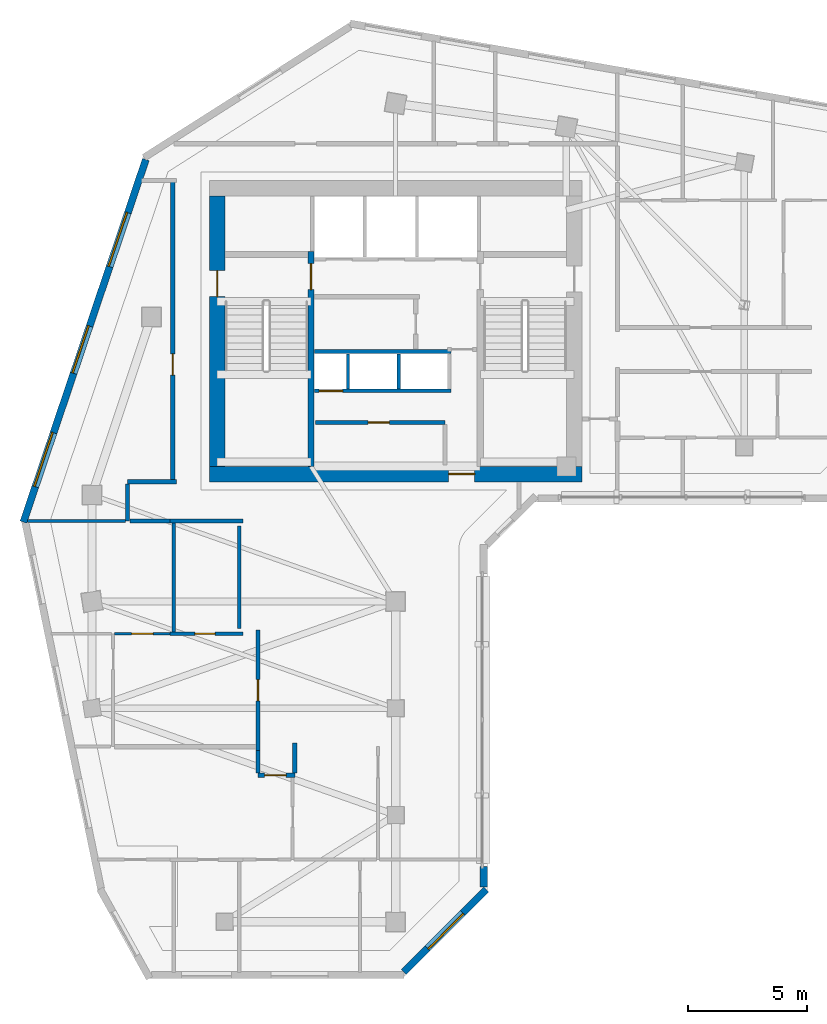
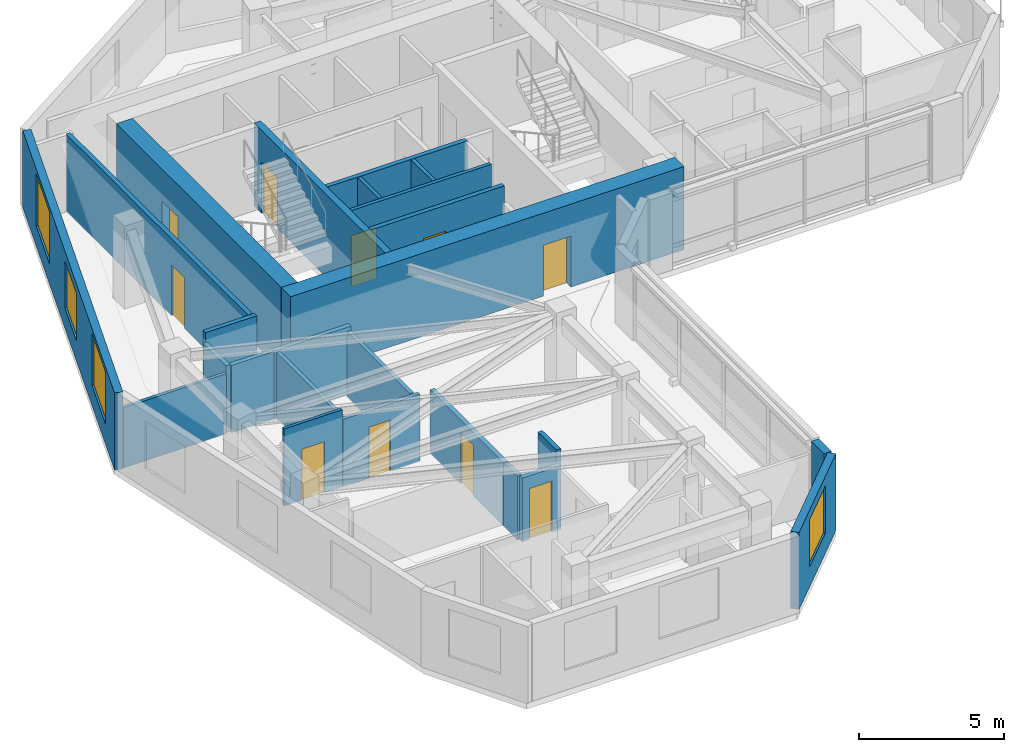
# One storey, part 4 of 10: 25 walls, 10 doors, 4 windows, 14 openings.
"""IFC4 building model written with IfcOpenShell, lengths in metres."""

import ifcopenshell
import ifcopenshell.guid

model = None  # the IFC model being written
_history = None  # IfcOwnerHistory: only IFC2X3 demands one
_inside = {}  # id of a spatial element -> (the spatial element, [elements in it])
_under = {}  # id of a project, library or spatial element -> (it, [spatial elements below it])
_declared = {}  # id of a project -> (the project, [libraries it declares])
_typed = {}  # id of a type object -> (the type object, [elements of that type])
_made_of = {}  # id of a material, layer set ... -> (it, [elements and type objects made of it])


def new_model(schema):
    """Start an empty IFC model of exactly this schema.

    Asked for "IFC4X3", IfcOpenShell would pick the latest addendum, in which some entities
    have other attributes; the version numbers below select the first issue.
    IFC2X3 requires an IfcOwnerHistory on every rooted entity: one is made here for all.
    """
    global model, _history
    if schema == "IFC4X3":
        model = ifcopenshell.file(schema_version=(4, 3, 0, 0))
    else:
        model = ifcopenshell.file(schema=schema)
    _inside.clear()
    _under.clear()
    _declared.clear()
    _typed.clear()
    _made_of.clear()
    _history = None
    if model.schema == "IFC2X3":
        org = make("IfcOrganization", Name="unknown")
        user = make(
            "IfcPersonAndOrganization",
            ThePerson=make("IfcPerson", FamilyName="unknown"),
            TheOrganization=org,
        )
        app = make(
            "IfcApplication",
            ApplicationDeveloper=org,
            Version="unknown",
            ApplicationFullName="unknown",
            ApplicationIdentifier="unknown",
        )
        _history = make(
            "IfcOwnerHistory",
            OwningUser=user,
            OwningApplication=app,
            ChangeAction="ADDED",
            CreationDate=0,
        )
    return model


def make(cls, **values):
    """One entity of the class cls with the attributes given. An attribute that is None is left unset."""
    return model.create_entity(
        cls, **{name: value for name, value in values.items() if value is not None}
    )


def rooted(cls, **values):
    """An entity with a GlobalId (a new one), such as an element, a storey or a relation."""
    return make(cls, GlobalId=ifcopenshell.guid.new(), OwnerHistory=_history, **values)


def si_unit(unit_type, name, prefix=None):
    """IfcSIUnit, for example si_unit("LENGTHUNIT", "METRE", prefix="MILLI")."""
    return make("IfcSIUnit", UnitType=unit_type, Prefix=prefix, Name=name)


def assignment(units):
    """IfcUnitAssignment: the units of a project."""
    return None if units is None else make("IfcUnitAssignment", Units=units)


def point(xyz):
    """IfcCartesianPoint."""
    return None if xyz is None else make("IfcCartesianPoint", Coordinates=xyz)


def direction(xyz):
    """IfcDirection."""
    return None if xyz is None else make("IfcDirection", DirectionRatios=xyz)


def frame(location, z_axis=None, x_axis=None):
    """IfcAxis2Placement3D, a coordinate frame: its origin and axes. An axis left out is left unset."""
    return make(
        "IfcAxis2Placement3D",
        Location=point(location),
        Axis=direction(z_axis),
        RefDirection=direction(x_axis),
    )


def frame_2d(location, x_axis=None):
    """IfcAxis2Placement2D, a coordinate frame in the plane: its origin and x axis."""
    return make(
        "IfcAxis2Placement2D", Location=point(location), RefDirection=direction(x_axis)
    )


def origin():
    """The frame at (0, 0, 0) with its axes left unset."""
    return frame((0.0, 0.0, 0.0))


def place(relative_to, where):
    """IfcLocalPlacement: puts the frame where relative to a parent placement (None: the world)."""
    return make(
        "IfcLocalPlacement", PlacementRelTo=relative_to, RelativePlacement=where
    )


def context(
    kind, dimensions, precision=None, world=None, true_north=None, identifier=None
):
    """IfcGeometricRepresentationContext, for example the 3D "Model" context."""
    return make(
        "IfcGeometricRepresentationContext",
        ContextIdentifier=identifier,
        ContextType=kind,
        CoordinateSpaceDimension=dimensions,
        Precision=precision,
        WorldCoordinateSystem=world,
        TrueNorth=true_north,
    )


def subcontext(parent, identifier, kind, view, scale=None):
    """IfcGeometricRepresentationSubContext, for example "Body" below "Model"."""
    return make(
        "IfcGeometricRepresentationSubContext",
        ContextIdentifier=identifier,
        ContextType=kind,
        ParentContext=parent,
        TargetScale=scale,
        TargetView=view,
    )


def project(units=None, contexts=None):
    """IfcProject with its units and contexts."""
    return rooted(
        "IfcProject",
        Name="project",
        RepresentationContexts=contexts,
        UnitsInContext=assignment(units),
    )


def spatial(cls, under=None, at=None, **own):
    """A site, building, storey or space (cls), placed at a placement, below another one or the project."""
    s = rooted(cls, ObjectPlacement=at, **own)
    if under is not None:
        _under.setdefault(under.id(), (under, []))[1].append(s)
    return s


def profile(cls, at=None, kind="AREA", **sizes):
    """A parametric profile (cls). Its sizes go by their IFC names, for example OverallWidth=200.0."""
    return make(cls, ProfileType=kind, Position=at, **sizes)


def rectangle(**sizes):
    """IfcRectangleProfileDef."""
    return profile("IfcRectangleProfileDef", **sizes)


def extrude(swept, where, along, depth):
    """IfcExtrudedAreaSolid: the profile swept, set in the frame where, extruded along a direction by depth."""
    return make(
        "IfcExtrudedAreaSolid",
        SweptArea=swept,
        Position=where,
        ExtrudedDirection=direction(along),
        Depth=depth,
    )


def shape(context_of_items, identifier, shape_type, items):
    """IfcShapeRepresentation: the items that make up one representation, for example the "Body"."""
    return make(
        "IfcShapeRepresentation",
        ContextOfItems=context_of_items,
        RepresentationIdentifier=identifier,
        RepresentationType=shape_type,
        Items=items,
    )


def source(mapping_origin, context_of_items, identifier, shape_type, items):
    """IfcRepresentationMap: a shape defined once, which mapped items show again and again."""
    return make(
        "IfcRepresentationMap",
        MappingOrigin=mapping_origin,
        MappedRepresentation=shape(context_of_items, identifier, shape_type, items),
    )


def transform(
    local_origin,
    x_axis=None,
    y_axis=None,
    z_axis=None,
    scale=None,
    scale2=None,
    scale3=None,
    uniform=True,
):
    """IfcCartesianTransformationOperator3D, or its non-uniform kind. x_axis, y_axis, z_axis: its Axis1, 2, 3."""
    if uniform:
        return make(
            "IfcCartesianTransformationOperator3D",
            Axis1=direction(x_axis),
            Axis2=direction(y_axis),
            LocalOrigin=point(local_origin),
            Scale=scale,
            Axis3=direction(z_axis),
        )
    return make(
        "IfcCartesianTransformationOperator3DnonUniform",
        Axis1=direction(x_axis),
        Axis2=direction(y_axis),
        LocalOrigin=point(local_origin),
        Scale=scale,
        Axis3=direction(z_axis),
        Scale2=scale2,
        Scale3=scale3,
    )


def mapped(mapping_source, mapping_target):
    """IfcMappedItem: shows the shape of a source again, moved by a transform."""
    return make(
        "IfcMappedItem", MappingSource=mapping_source, MappingTarget=mapping_target
    )


def material(Name=None, Category=None):
    """IfcMaterial."""
    return make("IfcMaterial", Name=Name, Category=Category)


def layer(
    of_material, thickness, ventilated=None, Name=None, Category=None, Priority=None
):
    """IfcMaterialLayer: one layer of a wall or slab, of a material (None: an air gap)."""
    return make(
        "IfcMaterialLayer",
        Material=of_material,
        LayerThickness=thickness,
        IsVentilated=ventilated,
        Name=Name,
        Category=Category,
        Priority=Priority,
    )


def layer_set(layers, Name=None):
    """IfcMaterialLayerSet."""
    return make("IfcMaterialLayerSet", MaterialLayers=layers, LayerSetName=Name)


def made_of(thing, what):
    """Note that an element or type object is made of a material, layer set ...; save() writes the relation."""
    if what is not None:
        _made_of.setdefault(what.id(), (what, []))[1].append(thing)
    return thing


def type_object(cls, material=None, **own):
    """A type object (cls), such as IfcWallType, which elements share."""
    return made_of(rooted(cls, **own), material)


def element(
    cls,
    number,
    at=None,
    inside=None,
    cuts=None,
    type_object=None,
    material=None,
    context=None,
    identifier="Body",
    shape_type=None,
    held_by="IfcProductDefinitionShape",
    body=None,
    shapes=None,
    **own,
):
    """One element of the class cls, such as IfcWall. Its Tag is "e" and its number.

    at: its placement. inside: the storey or other place that contains it. cuts: it is an
    opening in that element (IfcRelVoidsElement). A single representation is given by context,
    identifier, shape_type and body (its items); several are given by shapes. held_by: the class
    of the entity that holds the representations. save() writes the other relations.
    """
    e = rooted(cls, Tag="e%d" % number, ObjectPlacement=at, **own)
    if body is not None:
        shapes = [shape(context, identifier, shape_type, body)]
    if shapes is not None:
        e.Representation = make(held_by, Representations=shapes)
    if inside is not None:
        _inside.setdefault(inside.id(), (inside, []))[1].append(e)
    if cuts is not None:
        rooted(
            "IfcRelVoidsElement", RelatingBuildingElement=cuts, RelatedOpeningElement=e
        )
    if type_object is not None:
        _typed.setdefault(type_object.id(), (type_object, []))[1].append(e)
    return made_of(e, material)


def fill(opening, filler):
    """IfcRelFillsElement: the door or window that sits in an opening."""
    return rooted(
        "IfcRelFillsElement",
        RelatingOpeningElement=opening,
        RelatedBuildingElement=filler,
    )


def aggregate(whole, parts):
    """IfcRelAggregates: a whole, such as a stair, and the parts it consists of."""
    return rooted("IfcRelAggregates", RelatingObject=whole, RelatedObjects=parts)


def save(model, path):
    """Write the relations noted so far, then the file.

    IfcRelAggregates (storeys below a building ...), IfcRelContainedInSpatialStructure (elements
    in a storey), IfcRelDefinesByType, IfcRelAssociatesMaterial and IfcRelDeclares: one each for
    every whole, place, type object, material and project.
    """
    for whole, parts in _under.values():
        aggregate(whole, parts)
    for where, things in _inside.values():
        rooted(
            "IfcRelContainedInSpatialStructure",
            RelatedElements=things,
            RelatingStructure=where,
        )
    for kind, things in _typed.values():
        rooted("IfcRelDefinesByType", RelatedObjects=things, RelatingType=kind)
    for what, things in _made_of.values():
        rooted("IfcRelAssociatesMaterial", RelatedObjects=things, RelatingMaterial=what)
    for by, libraries in _declared.values():
        rooted("IfcRelDeclares", RelatingContext=by, RelatedDefinitions=libraries)
    model.write(path)


model = new_model("IFC4")

# Units and contexts
model_context = context("Model", 3, precision=1e-05, world=origin(), true_north=direction((0.0, 1.0)))
body_context = subcontext(model_context, "Body", "Model", "MODEL_VIEW")
ifc_project = project(units=[si_unit("LENGTHUNIT", "METRE"), si_unit("AREAUNIT", "SQUARE_METRE"), si_unit("VOLUMEUNIT", "CUBIC_METRE"), si_unit("PLANEANGLEUNIT", "RADIAN"), si_unit("MASSUNIT", "GRAM", prefix="KILO")], contexts=[model_context])

# Site, building, storey
site_placement = place(None, origin())
site = spatial("IfcSite", under=ifc_project, at=site_placement, CompositionType="ELEMENT")
building_placement = place(site_placement, origin())
building = spatial("IfcBuilding", under=site, at=building_placement, Name="Calvemar Wedge Station Tower", CompositionType="ELEMENT")
storey_placement = place(building_placement, frame((0.0, 0.0, 214.89990234375)))
storey = spatial("IfcBuildingStorey", under=building, at=storey_placement, Name="L54", CompositionType="ELEMENT", Elevation=214.89990234375)

# Wall, opening, door
ifc_material_1 = material(Name="Concrete C50", Category="concrete")
ifc_layer_1 = layer(ifc_material_1, 0.260009765625)
ifc_layer_set_1 = layer_set([ifc_layer_1], Name="Concrete C50")
wall_type_1 = type_object("IfcWallType", Name="SW-CORE-260", PredefinedType="SHEAR", material=ifc_layer_set_1)
wall_1_placement = place(storey_placement, frame((20.22998046875, 34.199951171875, 0.0), z_axis=(0.0, 0.0, 1.0), x_axis=(0.0, 1.0, 0.0)))
wall_1 = element("IfcWall", 1, at=wall_1_placement, inside=storey, type_object=wall_type_1, Name="Storey L54 Core Shear Wall SPINE-W", PredefinedType="SHEAR", context=body_context, shape_type="SweptSolid", body=[
    extrude(rectangle(XDim=9.06005859375, YDim=0.260009765625, at=frame_2d((4.530029296875, 0.0))), origin(), (0.0, 0.0, 1.0), 3.5),
])
shared_shape_1 = source(origin(), body_context, "Body", "SweptSolid", [
    extrude(rectangle(XDim=1.10009765625, YDim=2.14990234375, at=frame_2d((0.550048828125, 1.074951171875))), frame((0.0, 0.14013671875, 0.0), z_axis=(0.0, -1.0, 0.0), x_axis=(1.0, 0.0, 0.0)), (0.0, 0.0, 1.0), 0.280029296875),
])
opening_1_placement = place(wall_1_placement, frame((7.449951171875, 0.0, 0.0)))
opening_1 = element("IfcOpeningElement", 2, at=opening_1_placement, cuts=wall_1, Name="Opening FD-90", PredefinedType="OPENING", context=body_context, shape_type="MappedRepresentation", body=[
    mapped(shared_shape_1, transform((0.0, 0.0, 0.0), scale=1.0)),
])
ifc_material_2 = material(Name="Galvanized fire-rated steel door leaf P-90", Category="steel")
door_type_1 = type_object("IfcDoorType", Name="DR-FD90-1100", OperationType="NOTDEFINED", PredefinedType="DOOR", material=ifc_material_2)
shared_shape_2 = source(origin(), body_context, "Body", "SweptSolid", [
    extrude(rectangle(XDim=1.10009765625, YDim=2.14990234375, at=frame_2d((0.550048828125, 1.074951171875))), frame((0.0, 0.02490234375, 0.0), z_axis=(0.0, -1.0, 0.0), x_axis=(1.0, 0.0, 0.0)), (0.0, 0.0, 1.0), 0.050048828125),
])
door_1_placement = place(opening_1_placement, origin())
door_1 = element("IfcDoor", 3, at=door_1_placement, inside=storey, type_object=door_type_1, Name="L54 FF Lobby to Stair ST-C1 Door", OperationType="SINGLE_SWING_RIGHT", OverallHeight=2.14990234375, OverallWidth=1.10009765625, PredefinedType="DOOR", context=body_context, shape_type="MappedRepresentation", body=[
    mapped(shared_shape_2, transform((0.0, 0.0, 0.0), scale=1.0)),
])
fill(opening_1, door_1)

ifc_material_3 = material(Name="Concrete C60", Category="concrete")
ifc_layer_2 = layer(ifc_material_3, 0.64990234375)
ifc_layer_set_2 = layer_set([ifc_layer_2], Name="Concrete C60")
wall_type_2 = type_object("IfcWallType", Name="SW-CORE-650", PredefinedType="SHEAR", material=ifc_layer_set_2)
wall_2_placement = place(storey_placement, frame((15.949951171875, 33.875, 0.0), z_axis=(0.0, 0.0, 1.0), x_axis=(1.0, 0.0, 0.0)))
wall_2 = element("IfcWall", 4, at=wall_2_placement, inside=storey, type_object=wall_type_2, Name="Storey L54 Core Shear Wall S", PredefinedType="SHEAR", context=body_context, shape_type="SweptSolid", body=[
    extrude(rectangle(XDim=15.699951171875, YDim=0.64990234375, at=frame_2d((7.85009765625, 0.0))), origin(), (0.0, 0.0, 1.0), 3.5),
])
shared_shape_3 = source(origin(), body_context, "Body", "SweptSolid", [
    extrude(rectangle(XDim=1.10009765625, YDim=2.14990234375, at=frame_2d((0.550048828125, 1.074951171875))), frame((0.0, 0.3349609375, 0.0), z_axis=(0.0, -1.0, 0.0), x_axis=(1.0, 0.0, 0.0)), (0.0, 0.0, 1.0), 0.669921875),
])
opening_2_placement = place(wall_2_placement, frame((10.080078125, 0.0, 0.0)))
opening_2 = element("IfcOpeningElement", 5, at=opening_2_placement, cuts=wall_2, Name="Opening FD-90", PredefinedType="OPENING", context=body_context, shape_type="MappedRepresentation", body=[
    mapped(shared_shape_3, transform((0.0, 0.0, 0.0), scale=1.0)),
])
door_2_placement = place(opening_2_placement, origin())
door_2 = element("IfcDoor", 6, at=door_2_placement, inside=storey, type_object=door_type_1, Name="L54 Passenger Lift Lobby Door", OperationType="SINGLE_SWING_RIGHT", OverallHeight=2.14990234375, OverallWidth=1.10009765625, PredefinedType="DOOR", context=body_context, shape_type="MappedRepresentation", body=[
    mapped(shared_shape_2, transform((0.0, 0.0, 0.0), scale=1.0)),
])
fill(opening_2, door_2)

wall_3_placement = place(storey_placement, frame((16.27490234375, 34.199951171875, 0.0), z_axis=(0.0, 0.0, 1.0), x_axis=(0.0, 1.0, 0.0)))
wall_3 = element("IfcWall", 7, at=wall_3_placement, inside=storey, type_object=wall_type_2, Name="Storey L54 Core Shear Wall W", PredefinedType="SHEAR", context=body_context, shape_type="SweptSolid", body=[
    extrude(rectangle(XDim=11.400146484375, YDim=0.64990234375, at=frame_2d((5.7001953125, 0.0))), origin(), (0.0, 0.0, 1.0), 3.5),
])
opening_3_placement = place(wall_3_placement, frame((7.14990234375, 0.0, 0.0)))
opening_3 = element("IfcOpeningElement", 8, at=opening_3_placement, cuts=wall_3, Name="Opening FD-90", PredefinedType="OPENING", context=body_context, shape_type="MappedRepresentation", body=[
    mapped(shared_shape_3, transform((0.0, 0.0, 0.0), scale=1.0)),
])
door_3_placement = place(opening_3_placement, origin())
door_3 = element("IfcDoor", 9, at=door_3_placement, inside=storey, type_object=door_type_1, Name="L54 West Corridor to Exit Stair ST-C1 Door", OperationType="SINGLE_SWING_RIGHT", OverallHeight=2.14990234375, OverallWidth=1.10009765625, PredefinedType="DOOR", context=body_context, shape_type="MappedRepresentation", body=[
    mapped(shared_shape_2, transform((0.0, 0.0, 0.0), scale=1.0)),
])
fill(opening_3, door_3)

ifc_material_4 = material(Name="Double-stud fire-rated corridor partition")
ifc_layer_3 = layer(ifc_material_4, 0.179931640625)
ifc_layer_set_3 = layer_set([ifc_layer_3], Name="Double-stud fire-rated corridor partition")
wall_type_3 = type_object("IfcWallType", Name="W-CORR-180", PredefinedType="PARTITIONING", material=ifc_layer_set_3)
wall_4_placement = place(storey_placement, frame((20.419921875, 36.050048828125, 0.0), z_axis=(0.0, 0.0, 1.0), x_axis=(1.0, 0.0, 0.0)))
wall_4 = element("IfcWall", 10, at=wall_4_placement, inside=storey, type_object=wall_type_3, Name="Storey L54 Interior Partition WL-L54-004", PredefinedType="PARTITIONING", context=body_context, shape_type="SweptSolid", body=[
    extrude(rectangle(XDim=5.4599609375, YDim=0.179931640625, at=frame_2d((2.72998046875, 0.0))), origin(), (0.0, 0.0, 1.0), 3.25),
])
shared_shape_4 = source(origin(), body_context, "Body", "SweptSolid", [
    extrude(rectangle(XDim=0.89990234375, YDim=2.14990234375, at=frame_2d((0.449951171875, 1.074951171875))), frame((0.0, 0.10009765625, 0.0), z_axis=(0.0, -1.0, 0.0), x_axis=(1.0, 0.0, 0.0)), (0.0, 0.0, 1.0), 0.199951171875),
])
opening_4_placement = place(wall_4_placement, frame((2.219482421875, 0.0, 0.0)))
opening_4 = element("IfcOpeningElement", 11, at=opening_4_placement, cuts=wall_4, Name="Opening FD-60", PredefinedType="OPENING", context=body_context, shape_type="MappedRepresentation", body=[
    mapped(shared_shape_4, transform((0.0, 0.0, 0.0), scale=1.0)),
])
ifc_material_5 = material(Name="Fire-rated acoustic timber-core entrance door EI 60", Category="wood")
door_type_2 = type_object("IfcDoorType", Name="DR-FD60-900", OperationType="NOTDEFINED", PredefinedType="DOOR", material=ifc_material_5)
shared_shape_5 = source(origin(), body_context, "Body", "SweptSolid", [
    extrude(rectangle(XDim=0.89990234375, YDim=2.14990234375, at=frame_2d((0.449951171875, 1.074951171875))), frame((0.0, 0.02490234375, 0.0), z_axis=(0.0, -1.0, 0.0), x_axis=(1.0, 0.0, 0.0)), (0.0, 0.0, 1.0), 0.050048828125),
])
door_4_placement = place(opening_4_placement, origin())
door_4 = element("IfcDoor", 12, at=door_4_placement, inside=storey, type_object=door_type_2, Name="L54 Parcel and Resident Store Door", OperationType="SINGLE_SWING_LEFT", OverallHeight=2.14990234375, OverallWidth=0.89990234375, PredefinedType="DOOR", context=body_context, shape_type="MappedRepresentation", body=[
    mapped(shared_shape_5, transform((0.0, 0.0, 0.0), scale=1.0)),
])
fill(opening_4, door_4)

# Walls
wall_5_placement = place(storey_placement, frame((12.5, 33.550048828125, 0.0), z_axis=(0.0, 0.0, 1.0), x_axis=(1.0, 0.0, 0.0)))
element("IfcWall", 13, at=wall_5_placement, inside=storey, type_object=wall_type_3, Name="Storey L54 Interior Partition WL-L54-006", PredefinedType="PARTITIONING", context=body_context, shape_type="SweptSolid", body=[
    extrude(rectangle(XDim=2.06005859375, YDim=0.179931640625, at=frame_2d((1.030029296875, 0.0))), origin(), (0.0, 0.0, 1.0), 3.25),
])
wall_6_placement = place(storey_placement, frame((12.5, 31.89990234375, 0.0), z_axis=(0.0, 0.0, 1.0), x_axis=(0.0, 1.0, 0.0)))
element("IfcWall", 14, at=wall_6_placement, inside=storey, type_object=wall_type_3, Name="Storey L54 Interior Partition WL-L54-007", PredefinedType="PARTITIONING", context=body_context, shape_type="SweptSolid", body=[
    extrude(rectangle(XDim=1.55615234375, YDim=0.179931640625, at=frame_2d((0.778076171875, 0.0))), origin(), (0.0, 0.0, 1.0), 2.835205078125),
])
wall_7_placement = place(storey_placement, frame((17.360107421875, 31.89990234375, 0.0), z_axis=(0.0, 0.0, 1.0), x_axis=(-1.0, 0.0, 0.0)))
element("IfcWall", 15, at=wall_7_placement, inside=storey, type_object=wall_type_3, Name="Storey L54 Interior Partition WL-L54-009", PredefinedType="PARTITIONING", context=body_context, shape_type="SweptSolid", body=[
    extrude(rectangle(XDim=3.070068359375, YDim=0.179931640625, at=frame_2d((1.53515625, 0.0))), origin(), (0.0, 0.0, 1.0), 2.835205078125),
])
wall_8_placement = place(storey_placement, frame((14.2880859375, 31.89990234375, 0.0), z_axis=(0.0, 0.0, 1.0), x_axis=(-1.0, 0.0, 0.0)))
element("IfcWall", 16, at=wall_8_placement, inside=storey, type_object=wall_type_3, Name="Storey L54 Interior Partition WL-L54-010", PredefinedType="PARTITIONING", context=body_context, shape_type="SweptSolid", body=[
    extrude(rectangle(XDim=1.694091796875, YDim=0.179931640625, at=frame_2d((0.84716796875, 0.0))), origin(), (0.0, 0.0, 1.0), 2.835205078125),
])

# Wall, opening, door
wall_9_placement = place(storey_placement, frame((14.39990234375, 33.64404296875, 0.0), z_axis=(0.0, 0.0, 1.0), x_axis=(0.0, 1.0, 0.0)))
wall_9 = element("IfcWall", 17, at=wall_9_placement, inside=storey, type_object=wall_type_3, Name="Storey L54 Interior Partition WL-L54-011", PredefinedType="PARTITIONING", context=body_context, shape_type="SweptSolid", body=[
    extrude(rectangle(XDim=12.60595703125, YDim=0.179931640625, at=frame_2d((6.302978515625, 0.0))), origin(), (0.0, 0.0, 1.0), 3.25),
])
opening_5_placement = place(wall_9_placement, frame((4.399169921875, 0.0, 0.0)))
opening_5 = element("IfcOpeningElement", 18, at=opening_5_placement, cuts=wall_9, Name="Opening D-01", PredefinedType="OPENING", context=body_context, shape_type="MappedRepresentation", body=[
    mapped(shared_shape_4, transform((0.0, 0.0, 0.0), scale=1.0)),
])
ifc_material_6 = material(Name="Architectural hardwood acoustic swing door", Category="wood")
door_type_3 = type_object("IfcDoorType", Name="DR-INT-900", OperationType="NOTDEFINED", PredefinedType="DOOR", material=ifc_material_6)
shared_shape_6 = source(origin(), body_context, "Body", "SweptSolid", [
    extrude(rectangle(XDim=0.89990234375, YDim=2.14990234375, at=frame_2d((0.449951171875, 1.074951171875))), frame((0.0, 0.02490234375, 0.0), z_axis=(0.0, -1.0, 0.0), x_axis=(1.0, 0.0, 0.0)), (0.0, 0.0, 1.0), 0.050048828125),
])
door_5_placement = place(opening_5_placement, origin())
door_5 = element("IfcDoor", 19, at=door_5_placement, inside=storey, type_object=door_type_3, Name="L54 Resident Reading Lounge Door", OperationType="SINGLE_SWING_RIGHT", OverallHeight=2.14990234375, OverallWidth=0.89990234375, PredefinedType="DOOR", context=body_context, shape_type="MappedRepresentation", body=[
    mapped(shared_shape_6, transform((0.0, 0.0, 0.0), scale=1.0)),
])
fill(opening_5, door_5)

wall_10_placement = place(storey_placement, frame((18.0, 22.222900390625, 0.0), z_axis=(0.0, 0.0, 1.0), x_axis=(0.0, 1.0, 0.0)))
wall_10 = element("IfcWall", 20, at=wall_10_placement, inside=storey, type_object=wall_type_3, Name="Storey L54 Interior Partition WL-L54-042", PredefinedType="PARTITIONING", context=body_context, shape_type="SweptSolid", body=[
    extrude(rectangle(XDim=5.0791015625, YDim=0.179931640625, at=frame_2d((2.53955078125, 0.0))), origin(), (0.0, 0.0, 1.0), 2.68798828125),
])
opening_6_placement = place(wall_10_placement, frame((2.089599609375, 0.0, 0.0)))
opening_6 = element("IfcOpeningElement", 21, at=opening_6_placement, cuts=wall_10, Name="Opening FD-60", PredefinedType="OPENING", context=body_context, shape_type="MappedRepresentation", body=[
    mapped(shared_shape_4, transform((0.0, 0.0, 0.0), scale=1.0)),
])
door_6_placement = place(opening_6_placement, origin())
door_6 = element("IfcDoor", 22, at=door_6_placement, inside=storey, type_object=door_type_2, Name="L54 Living Dining Door", OperationType="SINGLE_SWING_RIGHT", OverallHeight=2.14990234375, OverallWidth=0.89990234375, PredefinedType="DOOR", context=body_context, shape_type="MappedRepresentation", body=[
    mapped(shared_shape_5, transform((0.0, 0.0, 0.0), scale=1.0)),
])
fill(opening_6, door_6)

wall_11_placement = place(storey_placement, frame((19.550048828125, 21.18310546875, 0.0), z_axis=(0.0, 0.0, 1.0), x_axis=(-1.0, 0.0, 0.0)))
wall_11 = element("IfcWall", 23, at=wall_11_placement, inside=storey, type_object=wall_type_3, Name="Storey L54 Interior Partition WL-L54-043", PredefinedType="PARTITIONING", context=body_context, shape_type="SweptSolid", body=[
    extrude(rectangle(XDim=1.550048828125, YDim=0.179931640625, at=frame_2d((0.77490234375, 0.0))), origin(), (0.0, 0.0, 1.0), 2.68798828125),
])
opening_7_placement = place(wall_11_placement, frame((0.3701171875, 0.0, 0.0)))
opening_7 = element("IfcOpeningElement", 24, at=opening_7_placement, cuts=wall_11, Name="Opening FD-60", PredefinedType="OPENING", context=body_context, shape_type="MappedRepresentation", body=[
    mapped(shared_shape_4, transform((0.0, 0.0, 0.0), scale=1.0)),
])
door_7_placement = place(opening_7_placement, origin())
door_7 = element("IfcDoor", 25, at=door_7_placement, inside=storey, type_object=door_type_2, Name="L54 Living Dining Door", OperationType="SINGLE_SWING_LEFT", OverallHeight=2.14990234375, OverallWidth=0.89990234375, PredefinedType="DOOR", context=body_context, shape_type="MappedRepresentation", body=[
    mapped(shared_shape_5, transform((0.0, 0.0, 0.0), scale=1.0)),
])
fill(opening_7, door_7)

# Walls
wall_12_placement = place(storey_placement, frame((18.0, 21.277099609375, 0.0), z_axis=(0.0, 0.0, 1.0), x_axis=(0.0, 1.0, 0.0)))
element("IfcWall", 26, at=wall_12_placement, inside=storey, type_object=wall_type_3, Name="Storey L54 Interior Partition WL-L54-044", PredefinedType="PARTITIONING", context=body_context, shape_type="SweptSolid", body=[
    extrude(rectangle(XDim=0.94384765625, YDim=0.179931640625, at=frame_2d((0.471923828125, 0.0))), origin(), (0.0, 0.0, 1.0), 2.68798828125),
])
wall_13_placement = place(storey_placement, frame((19.550048828125, 22.54296875, 0.0), z_axis=(0.0, 0.0, 1.0), x_axis=(0.0, -1.0, 0.0)))
element("IfcWall", 27, at=wall_13_placement, inside=storey, type_object=wall_type_3, Name="Storey L54 Interior Partition WL-L54-045", PredefinedType="PARTITIONING", context=body_context, shape_type="SweptSolid", body=[
    extrude(rectangle(XDim=1.265869140625, YDim=0.179931640625, at=frame_2d((0.6328125, 0.0))), origin(), (0.0, 0.0, 1.0), 3.25),
])

# Wall, opening, window
ifc_material_7 = material(Name="Precast concrete C45", Category="concrete")
ifc_layer_4 = layer(ifc_material_7, 0.300048828125)
ifc_layer_set_4 = layer_set([ifc_layer_4], Name="Precast concrete C45")
wall_type_4 = type_object("IfcWallType", Name="W-EXT-GFRC-300", PredefinedType="SOLIDWALL", material=ifc_layer_set_4)
wall_14_placement = place(storey_placement, frame((24.139892578125, 12.887939453125, 0.0), z_axis=(0.0, 0.0, 1.0), x_axis=(0.707106781187, 0.707106781187, 0.0)))
wall_14 = element("IfcWall", 28, at=wall_14_placement, inside=storey, type_object=wall_type_4, Name="Storey L54 Bronze GFRC Exterior Wall 3", PredefinedType="SOLIDWALL", context=body_context, shape_type="SweptSolid", body=[
    extrude(rectangle(XDim=4.921875, YDim=0.300048828125, at=frame_2d((2.4609375, 0.0))), origin(), (0.0, 0.0, 1.0), 3.25),
])
shared_shape_7 = source(origin(), body_context, "Body", "SweptSolid", [
    extrude(rectangle(XDim=2.10009765625, YDim=2.0, at=frame_2d((1.050048828125, 1.0))), frame((0.0, 0.16015625, 0.0), z_axis=(0.0, -1.0, 0.0), x_axis=(1.0, 0.0, 0.0)), (0.0, 0.0, 1.0), 0.320068359375),
])
opening_8_placement = place(wall_14_placement, frame((1.410888671875, 0.0, 0.85009765625)))
opening_8 = element("IfcOpeningElement", 29, at=opening_8_placement, cuts=wall_14, Name="Opening W4", PredefinedType="OPENING", context=body_context, shape_type="MappedRepresentation", body=[
    mapped(shared_shape_7, transform((0.0, 0.0, 0.0), scale=1.0)),
])
ifc_material_8 = material(Name="Low-E laminated insulated glass", Category="glass")
window_type_1 = type_object("IfcWindowType", Name="WIN-EXT-4", PartitioningType="SINGLE_PANEL", PredefinedType="WINDOW", material=ifc_material_8)
shared_shape_8 = source(origin(), body_context, "Body", "SweptSolid", [
    extrude(rectangle(XDim=2.10009765625, YDim=2.0, at=frame_2d((1.050048828125, 1.0))), frame((0.0, -0.014892578125, 0.0), z_axis=(0.0, -1.0, 0.0), x_axis=(1.0, 0.0, 0.0)), (0.0, 0.0, 1.0), 0.06005859375),
])
window_1_placement = place(opening_8_placement, origin())
window_1 = element("IfcWindow", 30, at=window_1_placement, inside=storey, type_object=window_type_1, Name="Storey L54 Recessed Window 3.1", OverallHeight=2.0, OverallWidth=2.10009765625, PartitioningType="SINGLE_PANEL", PredefinedType="WINDOW", context=body_context, shape_type="MappedRepresentation", body=[
    mapped(shared_shape_8, transform((0.0, 0.0, 0.0), scale=1.0)),
])
fill(opening_8, window_1)

# Wall
wall_15_placement = place(storey_placement, frame((27.513916015625, 16.457275390625, 0.0), z_axis=(0.0, 0.0, 1.0), x_axis=(0.0, 1.0, 0.0)))
element("IfcWall", 31, at=wall_15_placement, inside=storey, type_object=wall_type_4, Name="Storey L54 Bronze GFRC Corner Pier 4A", PredefinedType="SOLIDWALL", context=body_context, shape_type="SweptSolid", body=[
    extrude(rectangle(XDim=0.88232421875, YDim=0.300048828125, at=frame_2d((0.441162109375, 0.0))), origin(), (0.0, 0.0, 1.0), 3.25),
])

# Wall, openings, windows
wall_16_placement = place(storey_placement, frame((13.2685546875, 47.1337890625, 0.0), z_axis=(0.0, 0.0, 1.0), x_axis=(-0.319920776449, -0.947444297464, 0.0)))
wall_16 = element("IfcWall", 32, at=wall_16_placement, inside=storey, type_object=wall_type_4, Name="Storey L54 Bronze GFRC Exterior Wall 12", PredefinedType="SOLIDWALL", context=body_context, shape_type="SweptSolid", body=[
    extrude(rectangle(XDim=16.13330078125, YDim=0.300048828125, at=frame_2d((8.066650390625, 0.0))), origin(), (0.0, 0.0, 1.0), 3.25),
])
shared_shape_9 = source(origin(), body_context, "Body", "SweptSolid", [
    extrude(rectangle(XDim=2.39990234375, YDim=2.199951171875, at=frame_2d((1.199951171875, 1.10009765625))), frame((0.0, 0.16015625, 0.0), z_axis=(0.0, -1.0, 0.0), x_axis=(1.0, 0.0, 0.0)), (0.0, 0.0, 1.0), 0.320068359375),
])
opening_9_placement = place(wall_16_placement, frame((2.363037109375, 0.0, 0.85009765625)))
opening_9 = element("IfcOpeningElement", 33, at=opening_9_placement, cuts=wall_16, Name="Opening W1", PredefinedType="OPENING", context=body_context, shape_type="MappedRepresentation", body=[
    mapped(shared_shape_9, transform((0.0, 0.0, 0.0), scale=1.0)),
])
opening_10_placement = place(wall_16_placement, frame((7.409912109375, 0.0, 0.85009765625)))
opening_10 = element("IfcOpeningElement", 34, at=opening_10_placement, cuts=wall_16, Name="Opening W4", PredefinedType="OPENING", context=body_context, shape_type="MappedRepresentation", body=[
    mapped(shared_shape_7, transform((0.0, 0.0, 0.0), scale=1.0)),
])
opening_11_placement = place(wall_16_placement, frame((12.156982421875, 0.0, 0.85009765625)))
opening_11 = element("IfcOpeningElement", 35, at=opening_11_placement, cuts=wall_16, Name="Opening W1", PredefinedType="OPENING", context=body_context, shape_type="MappedRepresentation", body=[
    mapped(shared_shape_9, transform((0.0, 0.0, 0.0), scale=1.0)),
])
window_2_placement = place(opening_10_placement, origin())
window_2 = element("IfcWindow", 36, at=window_2_placement, inside=storey, type_object=window_type_1, Name="Storey L54 Recessed Window 12.2", OverallHeight=2.0, OverallWidth=2.10009765625, PartitioningType="SINGLE_PANEL", PredefinedType="WINDOW", context=body_context, shape_type="MappedRepresentation", body=[
    mapped(shared_shape_8, transform((0.0, 0.0, 0.0), scale=1.0)),
])
fill(opening_10, window_2)
window_type_2 = type_object("IfcWindowType", Name="WIN-EXT-1", PartitioningType="SINGLE_PANEL", PredefinedType="WINDOW", material=ifc_material_8)
shared_shape_10 = source(origin(), body_context, "Body", "SweptSolid", [
    extrude(rectangle(XDim=2.39990234375, YDim=2.199951171875, at=frame_2d((1.199951171875, 1.10009765625))), frame((0.0, -0.014892578125, 0.0), z_axis=(0.0, -1.0, 0.0), x_axis=(1.0, 0.0, 0.0)), (0.0, 0.0, 1.0), 0.06005859375),
])
window_3_placement = place(opening_9_placement, origin())
window_3 = element("IfcWindow", 37, at=window_3_placement, inside=storey, type_object=window_type_2, Name="Storey L54 Recessed Window 12.1", OverallHeight=2.199951171875, OverallWidth=2.39990234375, PartitioningType="SINGLE_PANEL", PredefinedType="WINDOW", context=body_context, shape_type="MappedRepresentation", body=[
    mapped(shared_shape_10, transform((0.0, 0.0, 0.0), scale=1.0)),
])
fill(opening_9, window_3)
window_4_placement = place(opening_11_placement, origin())
window_4 = element("IfcWindow", 38, at=window_4_placement, inside=storey, type_object=window_type_2, Name="Storey L54 Recessed Window 12.3", OverallHeight=2.199951171875, OverallWidth=2.39990234375, PartitioningType="SINGLE_PANEL", PredefinedType="WINDOW", context=body_context, shape_type="MappedRepresentation", body=[
    mapped(shared_shape_10, transform((0.0, 0.0, 0.0), scale=1.0)),
])
fill(opening_11, window_4)

# Wall, opening, door
ifc_material_9 = material(Name="Reinforced concrete blockwork lift shaft wall", Category="masonry")
ifc_layer_5 = layer(ifc_material_9, 0.139892578125)
ifc_layer_set_5 = layer_set([ifc_layer_5], Name="Reinforced concrete blockwork lift shaft wall")
wall_type_5 = type_object("IfcWallType", Name="W-LIFT-160", PredefinedType="SOLIDWALL", material=ifc_layer_set_5)
wall_17_placement = place(storey_placement, frame((20.3798828125, 37.3798828125, 0.0), z_axis=(0.0, 0.0, 1.0), x_axis=(1.0, 0.0, 0.0)))
wall_17 = element("IfcWall", 39, at=wall_17_placement, inside=storey, type_object=wall_type_5, Name="Storey L54 Upper Passenger Lift Bank Front Wall", PredefinedType="SOLIDWALL", context=body_context, shape_type="SweptSolid", body=[
    extrude(rectangle(XDim=5.75, YDim=0.139892578125, at=frame_2d((2.875, 0.0))), origin(), (0.0, 0.0, 1.0), 3.25),
])
shared_shape_11 = source(origin(), body_context, "Body", "SweptSolid", [
    extrude(rectangle(XDim=1.0, YDim=2.14990234375, at=frame_2d((0.5, 1.074951171875))), frame((0.0, 0.080078125, 0.0), z_axis=(0.0, -1.0, 0.0), x_axis=(1.0, 0.0, 0.0)), (0.0, 0.0, 1.0), 0.159912109375),
])
opening_12_placement = place(wall_17_placement, frame((0.18994140625, 0.0, 0.0)))
opening_12 = element("IfcOpeningElement", 40, at=opening_12_placement, cuts=wall_17, Name="Opening LD-PAX", PredefinedType="OPENING", context=body_context, shape_type="MappedRepresentation", body=[
    mapped(shared_shape_11, transform((0.0, 0.0, 0.0), scale=1.0)),
])
ifc_material_10 = material(Name="Anodised bronze passenger lift sliding landing door")
door_type_4 = type_object("IfcDoorType", Name="DR-LD-PAX-1000", OperationType="SLIDING_TO_LEFT", PredefinedType="DOOR", material=ifc_material_10)
shared_shape_12 = source(origin(), body_context, "Body", "SweptSolid", [
    extrude(rectangle(XDim=1.0, YDim=2.14990234375, at=frame_2d((0.5, 1.074951171875))), frame((0.0, 0.02490234375, 0.0), z_axis=(0.0, -1.0, 0.0), x_axis=(1.0, 0.0, 0.0)), (0.0, 0.0, 1.0), 0.050048828125),
])
door_8_placement = place(opening_12_placement, origin())
door_8 = element("IfcDoor", 41, at=door_8_placement, inside=storey, type_object=door_type_4, Name="L54 Lift RH-01 Sliding Landing Door", OperationType="SLIDING_TO_LEFT", OverallHeight=2.14990234375, OverallWidth=1.0, PredefinedType="DOOR", context=body_context, shape_type="MappedRepresentation", body=[
    mapped(shared_shape_12, transform((0.0, 0.0, 0.0), scale=1.0)),
])
fill(opening_12, door_8)

# Walls
for number, where, z_axis, x_axis, name in (
    (42, (21.794921875, 37.4599609375, 0.0), (0.0, 0.0, 1.0), (0.0, 1.0, 0.0), "Storey L54 Upper Passenger Lift Shaft Wall D1"),
    (43, (23.93505859375, 37.4599609375, 0.0), (0.0, 0.0, 1.0), (0.0, 1.0, 0.0), "Storey L54 Upper Passenger Lift Shaft Wall D2"),
):
    element("IfcWall", number, at=place(storey_placement, frame(where, z_axis=z_axis, x_axis=x_axis)), inside=storey, type_object=wall_type_5, Name=name, PredefinedType="SOLIDWALL", context=body_context, shape_type="SweptSolid", body=[
        extrude(rectangle(XDim=1.47998046875, YDim=0.139892578125, at=frame_2d((0.739990234375, 0.0))), origin(), (0.0, 0.0, 1.0), 3.25),
    ])
ifc_material_11 = material(Name="Insulated acoustic gypsum stud partition")
ifc_layer_6 = layer(ifc_material_11, 0.125)
ifc_layer_set_6 = layer_set([ifc_layer_6], Name="Insulated acoustic gypsum stud partition")
wall_type_6 = type_object("IfcWallType", Name="W-PART-125", PredefinedType="PARTITIONING", material=ifc_layer_set_6)
wall_18_placement = place(storey_placement, frame((12.406005859375, 31.89990234375, 0.0), z_axis=(0.0, 0.0, 1.0), x_axis=(-1.0, 0.0, 0.0)))
element("IfcWall", 44, at=wall_18_placement, inside=storey, type_object=wall_type_6, Name="Storey L54 Interior Partition WL-L54-021", PredefinedType="PARTITIONING", context=body_context, shape_type="SweptSolid", body=[
    extrude(rectangle(XDim=4.11474609375, YDim=0.125, at=frame_2d((2.057373046875, 0.0))), origin(), (0.0, 0.0, 1.0), 2.5419921875),
])

# Wall, opening, door
wall_19_placement = place(storey_placement, frame((11.95751953125, 27.14208984375, 0.0), z_axis=(0.0, 0.0, 1.0), x_axis=(1.0, 0.0, 0.0)))
wall_19 = element("IfcWall", 45, at=wall_19_placement, inside=storey, type_object=wall_type_6, Name="Storey L54 Interior Partition WL-L54-048", PredefinedType="PARTITIONING", context=body_context, shape_type="SweptSolid", body=[
    extrude(rectangle(XDim=2.33056640625, YDim=0.125, at=frame_2d((1.165283203125, 0.0))), origin(), (0.0, 0.0, 1.0), 3.25),
])
shared_shape_13 = source(origin(), body_context, "Body", "SweptSolid", [
    extrude(rectangle(XDim=0.89990234375, YDim=2.14990234375, at=frame_2d((0.449951171875, 1.074951171875))), frame((0.0, 0.072509765625, 0.0), z_axis=(0.0, -1.0, 0.0), x_axis=(1.0, 0.0, 0.0)), (0.0, 0.0, 1.0), 0.14501953125),
])
opening_13_placement = place(wall_19_placement, frame((0.71533203125, 0.0, 0.0)))
opening_13 = element("IfcOpeningElement", 46, at=opening_13_placement, cuts=wall_19, Name="Opening D-01", PredefinedType="OPENING", context=body_context, shape_type="MappedRepresentation", body=[
    mapped(shared_shape_13, transform((0.0, 0.0, 0.0), scale=1.0)),
])
door_9_placement = place(opening_13_placement, origin())
door_9 = element("IfcDoor", 47, at=door_9_placement, inside=storey, type_object=door_type_3, Name="L54 Bedroom Door", OperationType="SINGLE_SWING_LEFT", OverallHeight=2.14990234375, OverallWidth=0.89990234375, PredefinedType="DOOR", context=body_context, shape_type="MappedRepresentation", body=[
    mapped(shared_shape_6, transform((0.0, 0.0, 0.0), scale=1.0)),
])
fill(opening_13, door_9)

# Wall
ifc_material_12 = material(Name="Concrete blockwork and fireboard shaft wall", Category="masonry")
ifc_layer_7 = layer(ifc_material_12, 0.199951171875)
ifc_layer_set_7 = layer_set([ifc_layer_7], Name="Concrete blockwork and fireboard shaft wall")
wall_type_7 = type_object("IfcWallType", Name="W-SHAFT-200", PredefinedType="SOLIDWALL", material=ifc_layer_set_7)
wall_20_placement = place(storey_placement, frame((20.3798828125, 39.0400390625, 0.0), z_axis=(0.0, 0.0, 1.0), x_axis=(1.0, 0.0, 0.0)))
element("IfcWall", 48, at=wall_20_placement, inside=storey, type_object=wall_type_7, Name="Storey L54 Upper Passenger Lift Bank Rear Shaft Wall", PredefinedType="SOLIDWALL", context=body_context, shape_type="SweptSolid", body=[
    extrude(rectangle(XDim=5.75, YDim=0.179931640625, at=frame_2d((2.875, 0.0))), origin(), (0.0, 0.0, 1.0), 3.25),
])

# Wall, opening, door
ifc_material_13 = material(Name="Moisture-resistant acoustic bathroom partition")
ifc_layer_8 = layer(ifc_material_13, 0.14990234375)
ifc_layer_set_8 = layer_set([ifc_layer_8], Name="Moisture-resistant acoustic bathroom partition")
wall_type_8 = type_object("IfcWallType", Name="W-WET-150", PredefinedType="PARTITIONING", material=ifc_layer_set_8)
wall_21_placement = place(storey_placement, frame((14.2900390625, 27.14208984375, 0.0), z_axis=(0.0, 0.0, 1.0), x_axis=(1.0, 0.0, 0.0)))
wall_21 = element("IfcWall", 49, at=wall_21_placement, inside=storey, type_object=wall_type_8, Name="Storey L54 Interior Partition WL-L54-047", PredefinedType="PARTITIONING", context=body_context, shape_type="SweptSolid", body=[
    extrude(rectangle(XDim=3.070068359375, YDim=0.14990234375, at=frame_2d((1.53515625, 0.0))), origin(), (0.0, 0.0, 1.0), 2.835205078125),
])
shared_shape_14 = source(origin(), body_context, "Body", "SweptSolid", [
    extrude(rectangle(XDim=0.85009765625, YDim=2.14990234375, at=frame_2d((0.425048828125, 1.074951171875))), frame((0.0, 0.0849609375, 0.0), z_axis=(0.0, -1.0, 0.0), x_axis=(1.0, 0.0, 0.0)), (0.0, 0.0, 1.0), 0.169921875),
])
opening_14_placement = place(wall_21_placement, frame((1.046142578125, 0.0, 0.0)))
opening_14 = element("IfcOpeningElement", 50, at=opening_14_placement, cuts=wall_21, Name="Opening D-02", PredefinedType="OPENING", context=body_context, shape_type="MappedRepresentation", body=[
    mapped(shared_shape_14, transform((0.0, 0.0, 0.0), scale=1.0)),
])
ifc_material_14 = material(Name="Moisture-sealed bathroom hardwood swing door", Category="wood")
door_type_5 = type_object("IfcDoorType", Name="DR-WET-850", OperationType="NOTDEFINED", PredefinedType="DOOR", material=ifc_material_14)
shared_shape_15 = source(origin(), body_context, "Body", "SweptSolid", [
    extrude(rectangle(XDim=0.85009765625, YDim=2.14990234375, at=frame_2d((0.425048828125, 1.074951171875))), frame((0.0, 0.02490234375, 0.0), z_axis=(0.0, -1.0, 0.0), x_axis=(1.0, 0.0, 0.0)), (0.0, 0.0, 1.0), 0.050048828125),
])
door_10_placement = place(opening_14_placement, origin())
door_10 = element("IfcDoor", 51, at=door_10_placement, inside=storey, type_object=door_type_5, Name="L54 Bathroom Door", OperationType="SINGLE_SWING_RIGHT", OverallHeight=2.14990234375, OverallWidth=0.85009765625, PredefinedType="DOOR", context=body_context, shape_type="MappedRepresentation", body=[
    mapped(shared_shape_15, transform((0.0, 0.0, 0.0), scale=1.0)),
])
fill(opening_14, door_10)

# Walls
wall_22_placement = place(storey_placement, frame((14.449951171875, 27.220947265625, 0.0), z_axis=(0.0, 0.0, 1.0), x_axis=(0.0, 1.0, 0.0)))
element("IfcWall", 52, at=wall_22_placement, inside=storey, type_object=wall_type_8, Name="Storey L54 Interior Partition WL-L54-052", PredefinedType="PARTITIONING", context=body_context, shape_type="SweptSolid", body=[
    extrude(rectangle(XDim=4.5849609375, YDim=0.14990234375, at=frame_2d((2.29248046875, 0.0))), origin(), (0.0, 0.0, 1.0), 2.76611328125),
])
wall_23_placement = place(storey_placement, frame((17.199951171875, 31.679931640625, 0.0), z_axis=(0.0, 0.0, 1.0), x_axis=(0.0, -1.0, 0.0)))
element("IfcWall", 53, at=wall_23_placement, inside=storey, type_object=wall_type_8, Name="Storey L54 Bathroom Enclosure Wall WL-L54-064", PredefinedType="PARTITIONING", context=body_context, shape_type="SweptSolid", body=[
    extrude(rectangle(XDim=4.31787109375, YDim=0.14990234375, at=frame_2d((2.158935546875, 0.0))), origin(), (0.0, 0.0, 1.0), 2.76611328125),
])

save(model, "model.ifc")
